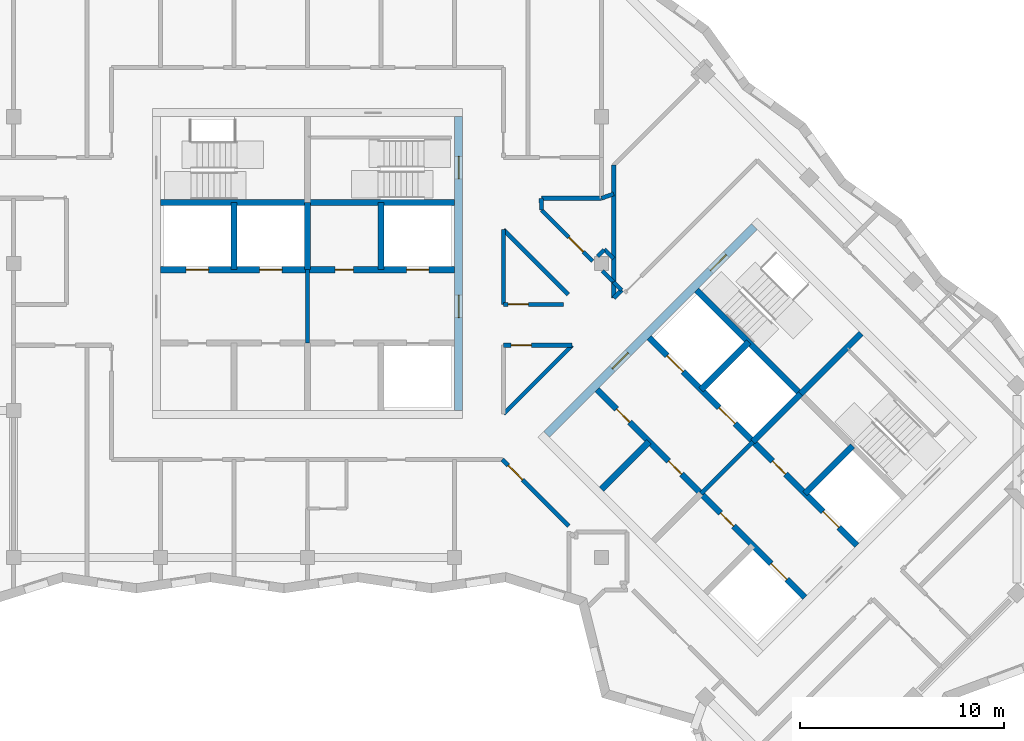
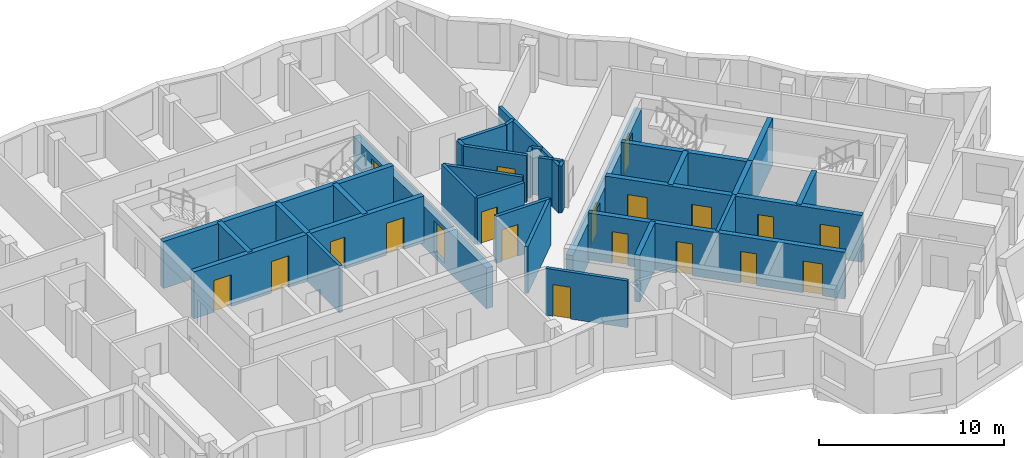
# One storey, part 4 of 11: 35 walls, 20 doors, 20 openings.
"""IFC4 building model written with IfcOpenShell, lengths in metres."""

from ifc_helpers import new_model, si_unit, direction, frame, frame_2d, origin, place, context, subcontext, project, spatial, rectangle, extrude, material, layer, layer_set, type_object, element, fill, save


model = new_model("IFC4")

# Units and contexts
model_context = context("Model", 3, precision=1e-05, world=origin(), true_north=direction((0.0, 1.0)))
body_context = subcontext(model_context, "Body", "Model", "MODEL_VIEW")
ifc_project = project(units=[si_unit("LENGTHUNIT", "METRE"), si_unit("AREAUNIT", "SQUARE_METRE"), si_unit("VOLUMEUNIT", "CUBIC_METRE"), si_unit("PLANEANGLEUNIT", "RADIAN"), si_unit("MASSUNIT", "GRAM", prefix="KILO")], contexts=[model_context])

# Site, building, storey
site_placement = place(None, origin())
site = spatial("IfcSite", under=ifc_project, at=site_placement, CompositionType="ELEMENT")
building_placement = place(site_placement, origin())
building = spatial("IfcBuilding", under=site, at=building_placement, Name="Windrow Commons", CompositionType="ELEMENT")
storey_placement = place(building_placement, frame((0.0, 0.0, 271.0)))
storey = spatial("IfcBuildingStorey", under=building, at=storey_placement, Name="L74", CompositionType="ELEMENT", Elevation=271.0)

# Walls
ifc_material_1 = material(Name="Blockwork partition", Category="masonry")
ifc_layer_1 = layer(ifc_material_1, 0.2)
ifc_layer_set_1 = layer_set([ifc_layer_1], Name="Fire lobby partition 200")
wall_type_1 = type_object("IfcWallType", Name="Fire lobby partition 200", PredefinedType="PARTITIONING", material=ifc_layer_set_1)
for number, where, z_axis, x_axis, name in (
    (1, (64.8, 53.7, 0.0), (0.0, 0.0, 1.0), (0.0, 1.0, 0.0), "W-core-lobby-A-L74"),
    (2, (84.079, 46.332, 0.0), (0.0, 0.0, 1.0), (0.7071067812, 0.7071067812, 0.0), "W-core-lobby-B-L74"),
):
    element("IfcWall", number, at=place(storey_placement, frame(where, z_axis=z_axis, x_axis=x_axis)), inside=storey, type_object=wall_type_1, Name=name, PredefinedType="PARTITIONING", context=body_context, shape_type="SweptSolid", body=[
        extrude(rectangle(XDim=3.6, YDim=0.2, at=frame_2d((1.8, 0.0))), origin(), (0.0, 0.0, 1.0), 3.1),
    ])
ifc_material_2 = material(Name="Blockwork partition", Category="masonry")
ifc_layer_2 = layer(ifc_material_2, 0.2)
ifc_layer_set_2 = layer_set([ifc_layer_2], Name="IW-CORRIDOR-200")
wall_type_2 = type_object("IfcWallType", Name="IW-CORRIDOR-200", PredefinedType="PARTITIONING", material=ifc_layer_set_2)
wall_1_placement = place(storey_placement, frame((74.4015, 50.2325, 0.0), z_axis=(0.0, 0.0, 1.0), x_axis=(0.7071067812, 0.7071067812, 0.0)))
element("IfcWall", 3, at=wall_1_placement, inside=storey, type_object=wall_type_2, Name="W-L74-W037", PredefinedType="PARTITIONING", context=body_context, shape_type="SweptSolid", body=[
    extrude(rectangle(XDim=4.7602, YDim=0.2, at=frame_2d((2.3801, 0.0))), origin(), (0.0, 0.0, 1.0), 3.1),
])

# Wall, opening, door
wall_2_placement = place(storey_placement, frame((74.3468, 47.9968, 0.0), z_axis=(0.0, 0.0, 1.0), x_axis=(0.7071067812, -0.7071067812, 0.0)))
wall_2 = element("IfcWall", 4, at=wall_2_placement, inside=storey, type_object=wall_type_2, Name="W-L74-W039", PredefinedType="PARTITIONING", context=body_context, shape_type="SweptSolid", body=[
    extrude(rectangle(XDim=4.5962, YDim=0.2, at=frame_2d((2.2981, 0.0))), origin(), (0.0, 0.0, 1.0), 3.1),
])
opening_1_placement = place(wall_2_placement, frame((0.4007, 0.0, 0.0)))
opening_1 = element("IfcOpeningElement", 5, at=opening_1_placement, cuts=wall_2, Name="Opening D310F", PredefinedType="OPENING", context=body_context, shape_type="SweptSolid", body=[
    extrude(rectangle(XDim=1.0, YDim=2.1, at=frame_2d((0.5, 1.05))), frame((0.0, 0.11, 0.0), z_axis=(0.0, -1.0, 0.0), x_axis=(1.0, 0.0, 0.0)), (0.0, 0.0, 1.0), 0.22),
])
ifc_material_3 = material(Name="Timber door leaf", Category="wood")
door_type_1 = type_object("IfcDoorType", Name="DT-AMENITY-1000", OperationType="SINGLE_SWING_LEFT", PredefinedType="DOOR", material=ifc_material_3)
door_1_placement = place(opening_1_placement, origin())
door_1 = element("IfcDoor", 6, at=door_1_placement, inside=storey, type_object=door_type_1, Name="D-L74-D012", OperationType="SINGLE_SWING_LEFT", OverallHeight=2.1, OverallWidth=1.0, PredefinedType="DOOR", context=body_context, shape_type="SweptSolid", body=[
    extrude(rectangle(XDim=1.0, YDim=2.1, at=frame_2d((0.5, 1.05))), frame((0.0, 0.025, 0.0), z_axis=(0.0, -1.0, 0.0), x_axis=(1.0, 0.0, 0.0)), (0.0, 0.0, 1.0), 0.05),
])
fill(opening_1, door_1)

# Walls
wall_3_placement = place(storey_placement, frame((74.3987, 59.2587, 0.0), z_axis=(0.0, 0.0, 1.0), x_axis=(0.7071067812, -0.7071067812, 0.0)))
element("IfcWall", 7, at=wall_3_placement, inside=storey, type_object=wall_type_2, Name="W-L74-W040", PredefinedType="PARTITIONING", context=body_context, shape_type="SweptSolid", body=[
    extrude(rectangle(XDim=4.4972, YDim=0.2, at=frame_2d((2.2486, 0.0))), origin(), (0.0, 0.0, 1.0), 3.1),
])
wall_4_placement = place(storey_placement, frame((74.4, 55.602, 0.0), z_axis=(0.0, 0.0, 1.0), x_axis=(0.0, 1.0, 0.0)))
element("IfcWall", 8, at=wall_4_placement, inside=storey, type_object=wall_type_2, Name="W-L74-W050", PredefinedType="PARTITIONING", context=body_context, shape_type="SweptSolid", body=[
    extrude(rectangle(XDim=3.66, YDim=0.2, at=frame_2d((1.83, 0.0))), origin(), (0.0, 0.0, 1.0), 3.1),
])

# Wall, opening, door
wall_5_placement = place(storey_placement, frame((76.2629, 60.2229, 0.0), z_axis=(0.0, 0.0, 1.0), x_axis=(0.7071067812, -0.7071067812, 0.0)))
wall_5 = element("IfcWall", 9, at=wall_5_placement, inside=storey, type_object=wall_type_2, Name="W-L74-W053", PredefinedType="PARTITIONING", context=body_context, shape_type="SweptSolid", body=[
    extrude(rectangle(XDim=3.5468, YDim=0.2, at=frame_2d((1.7734, 0.0))), origin(), (0.0, 0.0, 1.0), 3.1),
])
opening_2_placement = place(wall_5_placement, frame((1.8932, 0.0, 0.0)))
opening_2 = element("IfcOpeningElement", 10, at=opening_2_placement, cuts=wall_5, Name="Opening D410F", PredefinedType="OPENING", context=body_context, shape_type="SweptSolid", body=[
    extrude(rectangle(XDim=1.0, YDim=2.1, at=frame_2d((0.5, 1.05))), frame((0.0, 0.11, 0.0), z_axis=(0.0, -1.0, 0.0), x_axis=(1.0, 0.0, 0.0)), (0.0, 0.0, 1.0), 0.22),
])
ifc_material_4 = material(Name="Timber door leaf", Category="wood")
door_type_2 = type_object("IfcDoorType", Name="DT-SERVICE-1000", OperationType="SINGLE_SWING_LEFT", PredefinedType="DOOR", material=ifc_material_4)
door_2_placement = place(opening_2_placement, origin())
door_2 = element("IfcDoor", 11, at=door_2_placement, inside=storey, type_object=door_type_2, Name="D-L74-D028", OperationType="SINGLE_SWING_LEFT", OverallHeight=2.1, OverallWidth=1.0, PredefinedType="DOOR", context=body_context, shape_type="SweptSolid", body=[
    extrude(rectangle(XDim=1.0, YDim=2.1, at=frame_2d((0.5, 1.05))), frame((0.0, 0.025, 0.0), z_axis=(0.0, -1.0, 0.0), x_axis=(1.0, 0.0, 0.0)), (0.0, 0.0, 1.0), 0.05),
])
fill(opening_2, door_2)

wall_6_placement = place(storey_placement, frame((74.402, 53.6, 0.0), z_axis=(0.0, 0.0, 1.0), x_axis=(1.0, 0.0, 0.0)))
wall_6 = element("IfcWall", 12, at=wall_6_placement, inside=storey, type_object=wall_type_2, Name="W-L74-W055", PredefinedType="PARTITIONING", context=body_context, shape_type="SweptSolid", body=[
    extrude(rectangle(XDim=3.366, YDim=0.2, at=frame_2d((1.683, 0.0))), origin(), (0.0, 0.0, 1.0), 3.1),
])
opening_3_placement = place(wall_6_placement, frame((0.3672, 0.0, 0.0)))
opening_3 = element("IfcOpeningElement", 13, at=opening_3_placement, cuts=wall_6, Name="Opening D310F", PredefinedType="OPENING", context=body_context, shape_type="SweptSolid", body=[
    extrude(rectangle(XDim=1.0, YDim=2.1, at=frame_2d((0.5, 1.05))), frame((0.0, 0.11, 0.0), z_axis=(0.0, -1.0, 0.0), x_axis=(1.0, 0.0, 0.0)), (0.0, 0.0, 1.0), 0.22),
])
door_3_placement = place(opening_3_placement, origin())
door_3 = element("IfcDoor", 14, at=door_3_placement, inside=storey, type_object=door_type_1, Name="D-L74-D000", OperationType="SINGLE_SWING_RIGHT", OverallHeight=2.1, OverallWidth=1.0, PredefinedType="DOOR", context=body_context, shape_type="SweptSolid", body=[
    extrude(rectangle(XDim=1.0, YDim=2.1, at=frame_2d((0.5, 1.05))), frame((0.0, 0.025, 0.0), z_axis=(0.0, -1.0, 0.0), x_axis=(1.0, 0.0, 0.0)), (0.0, 0.0, 1.0), 0.05),
])
fill(opening_3, door_3)

# Wall
wall_7_placement = place(storey_placement, frame((76.262, 60.8, 0.0), z_axis=(0.0, 0.0, 1.0), x_axis=(1.0, 0.0, 0.0)))
element("IfcWall", 15, at=wall_7_placement, inside=storey, type_object=wall_type_2, Name="W-L74-W056", PredefinedType="PARTITIONING", context=body_context, shape_type="SweptSolid", body=[
    extrude(rectangle(XDim=2.938, YDim=0.2, at=frame_2d((1.469, 0.0))), origin(), (0.0, 0.0, 1.0), 3.1),
])

# Wall, opening, door
wall_8_placement = place(storey_placement, frame((74.402, 55.6, 0.0), z_axis=(0.0, 0.0, 1.0), x_axis=(1.0, 0.0, 0.0)))
wall_8 = element("IfcWall", 16, at=wall_8_placement, inside=storey, type_object=wall_type_2, Name="W-L74-W058", PredefinedType="PARTITIONING", context=body_context, shape_type="SweptSolid", body=[
    extrude(rectangle(XDim=2.928, YDim=0.2, at=frame_2d((1.464, 0.0))), origin(), (0.0, 0.0, 1.0), 3.1),
])
opening_4_placement = place(wall_8_placement, frame((0.2233, 0.0, 0.0)))
opening_4 = element("IfcOpeningElement", 17, at=opening_4_placement, cuts=wall_8, Name="Opening D310F", PredefinedType="OPENING", context=body_context, shape_type="SweptSolid", body=[
    extrude(rectangle(XDim=1.0, YDim=2.1, at=frame_2d((0.5, 1.05))), frame((0.0, 0.11, 0.0), z_axis=(0.0, -1.0, 0.0), x_axis=(1.0, 0.0, 0.0)), (0.0, 0.0, 1.0), 0.22),
])
door_4_placement = place(opening_4_placement, origin())
door_4 = element("IfcDoor", 18, at=door_4_placement, inside=storey, type_object=door_type_1, Name="D-L74-D013", OperationType="SINGLE_SWING_LEFT", OverallHeight=2.1, OverallWidth=1.0, PredefinedType="DOOR", context=body_context, shape_type="SweptSolid", body=[
    extrude(rectangle(XDim=1.0, YDim=2.1, at=frame_2d((0.5, 1.05))), frame((0.0, 0.025, 0.0), z_axis=(0.0, -1.0, 0.0), x_axis=(1.0, 0.0, 0.0)), (0.0, 0.0, 1.0), 0.05),
])
fill(opening_4, door_4)

# Walls
wall_9_placement = place(storey_placement, frame((79.2389, 57.2469, 0.0), z_axis=(0.0, 0.0, 1.0), x_axis=(0.7071067812, -0.7071067812, 0.0)))
element("IfcWall", 19, at=wall_9_placement, inside=storey, type_object=wall_type_2, Name="W-L74-W101", PredefinedType="PARTITIONING", context=body_context, shape_type="SweptSolid", body=[
    extrude(rectangle(XDim=0.7891, YDim=0.2, at=frame_2d((0.3946, 0.0))), origin(), (0.0, 0.0, 1.0), 3.1),
])
wall_10_placement = place(storey_placement, frame((79.8, 55.914, 0.0), z_axis=(0.0, 0.0, 1.0), x_axis=(0.0, 1.0, 0.0)))
element("IfcWall", 20, at=wall_10_placement, inside=storey, type_object=wall_type_2, Name="W-L74-W102", PredefinedType="PARTITIONING", context=body_context, shape_type="SweptSolid", body=[
    extrude(rectangle(XDim=0.778, YDim=0.2, at=frame_2d((0.389, 0.0))), origin(), (0.0, 0.0, 1.0), 3.1),
])
wall_11_placement = place(storey_placement, frame((76.2472, 60.7999, 0.0), z_axis=(0.0, 0.0, 1.0), x_axis=(0.0210479677, -0.999778467, 0.0)))
element("IfcWall", 21, at=wall_11_placement, inside=storey, type_object=wall_type_2, Name="W-L74-W112", PredefinedType="PARTITIONING", context=body_context, shape_type="SweptSolid", body=[
    extrude(rectangle(XDim=0.5701, YDim=0.2, at=frame_2d((0.2851, 0.0))), origin(), (0.0, 0.0, 1.0), 3.1),
])
wall_12_placement = place(storey_placement, frame((79.801, 55.915, 0.0), z_axis=(0.0, 0.0, 1.0), x_axis=(0.7071067812, 0.7071067812, 0.0)))
element("IfcWall", 22, at=wall_12_placement, inside=storey, type_object=wall_type_2, Name="W-L74-W114", PredefinedType="PARTITIONING", context=body_context, shape_type="SweptSolid", body=[
    extrude(rectangle(XDim=0.5487, YDim=0.2, at=frame_2d((0.2743, 0.0))), origin(), (0.0, 0.0, 1.0), 3.1),
])
ifc_material_5 = material(Name="Blockwork partition", Category="masonry")
ifc_layer_3 = layer(ifc_material_5, 0.2)
ifc_layer_set_3 = layer_set([ifc_layer_3], Name="IW-PARTY-200")
wall_type_3 = type_object("IfcWallType", Name="IW-PARTY-200", PredefinedType="PARTITIONING", material=ifc_layer_set_3)
wall_13_placement = place(storey_placement, frame((79.8, 56.692, 0.0), z_axis=(0.0, 0.0, 1.0), x_axis=(0.0, 1.0, 0.0)))
element("IfcWall", 23, at=wall_13_placement, inside=storey, type_object=wall_type_3, Name="W-L74-W024", PredefinedType="PARTITIONING", context=body_context, shape_type="SweptSolid", body=[
    extrude(rectangle(XDim=5.726, YDim=0.2, at=frame_2d((2.863, 0.0))), origin(), (0.0, 0.0, 1.0), 3.1),
])
wall_14_placement = place(storey_placement, frame((79.3459, 58.2899, 0.0), z_axis=(0.0, 0.0, 1.0), x_axis=(0.7086729034, -0.7055371826, 0.0)))
element("IfcWall", 24, at=wall_14_placement, inside=storey, type_object=wall_type_3, Name="W-L74-W109", PredefinedType="PARTITIONING", context=body_context, shape_type="SweptSolid", body=[
    extrude(rectangle(XDim=0.6378, YDim=0.2, at=frame_2d((0.3189, 0.0))), origin(), (0.0, 0.0, 1.0), 3.1),
])
wall_15_placement = place(storey_placement, frame((79.2001, 60.7998, 0.0), z_axis=(0.0, 0.0, 1.0), x_axis=(0.9418838915, 0.335938588, 0.0)))
element("IfcWall", 25, at=wall_15_placement, inside=storey, type_object=wall_type_3, Name="W-L74-W110", PredefinedType="PARTITIONING", context=body_context, shape_type="SweptSolid", body=[
    extrude(rectangle(XDim=0.637, YDim=0.2, at=frame_2d((0.3185, 0.0))), origin(), (0.0, 0.0, 1.0), 3.1),
])
wall_16_placement = place(storey_placement, frame((79.7969, 56.6889, 0.0), z_axis=(0.0, 0.0, 1.0), x_axis=(0.7071067812, -0.7071067812, 0.0)))
element("IfcWall", 26, at=wall_16_placement, inside=storey, type_object=wall_type_3, Name="W-L74-W113", PredefinedType="PARTITIONING", context=body_context, shape_type="SweptSolid", body=[
    extrude(rectangle(XDim=0.5515, YDim=0.2, at=frame_2d((0.2757, 0.0))), origin(), (0.0, 0.0, 1.0), 3.1),
])
wall_17_placement = place(storey_placement, frame((79.0068, 57.9492, 0.0), z_axis=(0.0, 0.0, 1.0), x_axis=(0.7071067812, 0.7071067812, 0.0)))
element("IfcWall", 27, at=wall_17_placement, inside=storey, type_object=wall_type_3, Name="W-L74-W117", PredefinedType="PARTITIONING", context=body_context, shape_type="SweptSolid", body=[
    extrude(rectangle(XDim=0.4537, YDim=0.2, at=frame_2d((0.2268, 0.0))), origin(), (0.0, 0.0, 1.0), 3.1),
])

# Wall, openings, doors
ifc_material_6 = material(Name="Concrete C40/50", Category="concrete")
ifc_layer_4 = layer(ifc_material_6, 0.4)
ifc_layer_set_4 = layer_set([ifc_layer_4], Name="RC CORE WALL 400 C40/50")
wall_type_4 = type_object("IfcWallType", Name="RC CORE WALL 400 C40/50", PredefinedType="SHEAR", material=ifc_layer_set_4)
wall_18_placement = place(storey_placement, frame((72.2, 50.4, -0.3), z_axis=(0.0, 0.0, 1.0), x_axis=(0.0, 1.0, 0.0)))
wall_18 = element("IfcWall", 28, at=wall_18_placement, inside=storey, type_object=wall_type_4, Name="Core A wall outer-E", PredefinedType="SHEAR", context=body_context, shape_type="SweptSolid", body=[
    extrude(rectangle(XDim=14.4, YDim=0.4, at=frame_2d((7.2, 0.0))), origin(), (0.0, 0.0, 1.0), 2.7),
])
opening_5_placement = place(wall_18_placement, frame((4.55, 0.0, 0.3)))
opening_5 = element("IfcOpeningElement", 29, at=opening_5_placement, cuts=wall_18, Name="Opening D6", PredefinedType="OPENING", context=body_context, shape_type="SweptSolid", body=[
    extrude(rectangle(XDim=1.1, YDim=2.1, at=frame_2d((0.55, 1.05))), frame((0.0, 0.21, 0.0), z_axis=(0.0, -1.0, 0.0), x_axis=(1.0, 0.0, 0.0)), (0.0, 0.0, 1.0), 0.42),
])
opening_6_placement = place(wall_18_placement, frame((11.35, 0.0, 0.3)))
opening_6 = element("IfcOpeningElement", 30, at=opening_6_placement, cuts=wall_18, Name="Opening D7", PredefinedType="OPENING", context=body_context, shape_type="SweptSolid", body=[
    extrude(rectangle(XDim=1.1, YDim=2.1, at=frame_2d((0.55, 1.05))), frame((0.0, 0.21, 0.0), z_axis=(0.0, -1.0, 0.0), x_axis=(1.0, 0.0, 0.0)), (0.0, 0.0, 1.0), 0.42),
])
ifc_material_7 = material(Name="Steel fire door leaf", Category="steel")
door_type_3 = type_object("IfcDoorType", Name="Core lobby door 1100", OperationType="SINGLE_SWING_LEFT", PredefinedType="DOOR", material=ifc_material_7)
door_5_placement = place(opening_5_placement, origin())
door_5 = element("IfcDoor", 31, at=door_5_placement, inside=storey, type_object=door_type_3, Name="Lift lobby door", OperationType="DOUBLE_DOOR_SINGLE_SWING", OverallHeight=2.1, OverallWidth=1.1, PredefinedType="DOOR", context=body_context, shape_type="SweptSolid", body=[
    extrude(rectangle(XDim=1.1, YDim=2.1, at=frame_2d((0.55, 1.05))), frame((0.0, 0.025, 0.0), z_axis=(0.0, -1.0, 0.0), x_axis=(1.0, 0.0, 0.0)), (0.0, 0.0, 1.0), 0.05),
])
fill(opening_5, door_5)
ifc_material_8 = material(Name="Steel fire door leaf", Category="steel")
door_type_4 = type_object("IfcDoorType", Name="Stair door 1100", OperationType="SINGLE_SWING_LEFT", PredefinedType="DOOR", material=ifc_material_8)
door_6_placement = place(opening_6_placement, origin())
door_6 = element("IfcDoor", 32, at=door_6_placement, inside=storey, type_object=door_type_4, Name="Stair door", OperationType="SINGLE_SWING_RIGHT", OverallHeight=2.1, OverallWidth=1.1, PredefinedType="DOOR", context=body_context, shape_type="SweptSolid", body=[
    extrude(rectangle(XDim=1.1, YDim=2.1, at=frame_2d((0.55, 1.05))), frame((0.0, 0.025, 0.0), z_axis=(0.0, -1.0, 0.0), x_axis=(1.0, 0.0, 0.0)), (0.0, 0.0, 1.0), 0.05),
])
fill(opening_6, door_6)

wall_19_placement = place(storey_placement, frame((76.513, 49.2312, -0.3), z_axis=(0.0, 0.0, 1.0), x_axis=(0.7071067812, 0.7071067812, 0.0)))
wall_19 = element("IfcWall", 33, at=wall_19_placement, inside=storey, type_object=wall_type_4, Name="Core B wall outer-W", PredefinedType="SHEAR", context=body_context, shape_type="SweptSolid", body=[
    extrude(rectangle(XDim=14.3999, YDim=0.4, at=frame_2d((7.2, 0.0))), origin(), (0.0, 0.0, 1.0), 2.7),
])
opening_7_placement = place(wall_19_placement, frame((4.55, 0.0, 0.3)))
opening_7 = element("IfcOpeningElement", 34, at=opening_7_placement, cuts=wall_19, Name="Opening D6", PredefinedType="OPENING", context=body_context, shape_type="SweptSolid", body=[
    extrude(rectangle(XDim=1.1, YDim=2.1, at=frame_2d((0.55, 1.05))), frame((0.0, 0.21, 0.0), z_axis=(0.0, -1.0, 0.0), x_axis=(1.0, 0.0, 0.0)), (0.0, 0.0, 1.0), 0.42),
])
opening_8_placement = place(wall_19_placement, frame((11.35, 0.0, 0.3)))
opening_8 = element("IfcOpeningElement", 35, at=opening_8_placement, cuts=wall_19, Name="Opening D7", PredefinedType="OPENING", context=body_context, shape_type="SweptSolid", body=[
    extrude(rectangle(XDim=1.1, YDim=2.1, at=frame_2d((0.55, 1.05))), frame((0.0, 0.21, 0.0), z_axis=(0.0, -1.0, 0.0), x_axis=(1.0, 0.0, 0.0)), (0.0, 0.0, 1.0), 0.42),
])
door_7_placement = place(opening_7_placement, origin())
door_7 = element("IfcDoor", 36, at=door_7_placement, inside=storey, type_object=door_type_3, Name="Lift lobby door", OperationType="DOUBLE_DOOR_SINGLE_SWING", OverallHeight=2.1, OverallWidth=1.1, PredefinedType="DOOR", context=body_context, shape_type="SweptSolid", body=[
    extrude(rectangle(XDim=1.1, YDim=2.1, at=frame_2d((0.55, 1.05))), frame((0.0, 0.025, 0.0), z_axis=(0.0, -1.0, 0.0), x_axis=(1.0, 0.0, 0.0)), (0.0, 0.0, 1.0), 0.05),
])
fill(opening_7, door_7)
door_8_placement = place(opening_8_placement, origin())
door_8 = element("IfcDoor", 37, at=door_8_placement, inside=storey, type_object=door_type_4, Name="Stair door", OperationType="SINGLE_SWING_LEFT", OverallHeight=2.1, OverallWidth=1.1, PredefinedType="DOOR", context=body_context, shape_type="SweptSolid", body=[
    extrude(rectangle(XDim=1.1, YDim=2.1, at=frame_2d((0.55, 1.05))), frame((0.0, 0.025, 0.0), z_axis=(0.0, -1.0, 0.0), x_axis=(1.0, 0.0, 0.0)), (0.0, 0.0, 1.0), 0.05),
])
fill(opening_8, door_8)

# Walls
ifc_material_9 = material(Name="Concrete C40/50", Category="concrete")
ifc_layer_5 = layer(ifc_material_9, 0.3)
ifc_layer_set_5 = layer_set([ifc_layer_5], Name="RC SHAFT WALL 300 C40/50")
wall_type_5 = type_object("IfcWallType", Name="RC SHAFT WALL 300 C40/50", PredefinedType="SOLIDWALL", material=ifc_layer_set_5)
for number, where, z_axis, x_axis, name in (
    (38, (61.2, 57.3, 0.0), (0.0, 0.0, 1.0), (0.0, 1.0, 0.0), "Core A wall shaft-N1"),
    (39, (64.8, 57.3, 0.0), (0.0, 0.0, 1.0), (0.0, 1.0, 0.0), "Core A wall shaft-N2"),
    (40, (68.4, 57.3, 0.0), (0.0, 0.0, 1.0), (0.0, 1.0, 0.0), "Core A wall shaft-N3"),
):
    element("IfcWall", number, at=place(storey_placement, frame(where, z_axis=z_axis, x_axis=x_axis)), inside=storey, type_object=wall_type_5, Name=name, PredefinedType="SOLIDWALL", context=body_context, shape_type="SweptSolid", body=[
        extrude(rectangle(XDim=3.3, YDim=0.3, at=frame_2d((1.65, 0.0))), origin(), (0.0, 0.0, 1.0), 3.1),
    ])

# Wall, openings, doors
wall_20_placement = place(storey_placement, frame((57.6, 57.3, 0.0), z_axis=(0.0, 0.0, 1.0), x_axis=(1.0, 0.0, 0.0)))
wall_20 = element("IfcWall", 41, at=wall_20_placement, inside=storey, type_object=wall_type_5, Name="Core A wall lobby-N", PredefinedType="SOLIDWALL", context=body_context, shape_type="SweptSolid", body=[
    extrude(rectangle(XDim=14.4, YDim=0.3, at=frame_2d((7.2, 0.0))), origin(), (0.0, 0.0, 1.0), 3.1),
])
opening_9_placement = place(wall_20_placement, frame((8.55, 0.0, 0.0)))
opening_9 = element("IfcOpeningElement", 42, at=opening_9_placement, cuts=wall_20, Name="Opening D8", PredefinedType="OPENING", context=body_context, shape_type="SweptSolid", body=[
    extrude(rectangle(XDim=0.9, YDim=2.1, at=frame_2d((0.45, 1.05))), frame((0.0, 0.16, 0.0), z_axis=(0.0, -1.0, 0.0), x_axis=(1.0, 0.0, 0.0)), (0.0, 0.0, 1.0), 0.32),
])
opening_10_placement = place(wall_20_placement, frame((1.25, 0.0, 0.0)))
opening_10 = element("IfcOpeningElement", 43, at=opening_10_placement, cuts=wall_20, Name="Opening LD", PredefinedType="OPENING", context=body_context, shape_type="SweptSolid", body=[
    extrude(rectangle(XDim=1.1, YDim=2.1, at=frame_2d((0.55, 1.05))), frame((0.0, 0.16, 0.0), z_axis=(0.0, -1.0, 0.0), x_axis=(1.0, 0.0, 0.0)), (0.0, 0.0, 1.0), 0.32),
])
opening_11_placement = place(wall_20_placement, frame((4.85, 0.0, 0.0)))
opening_11 = element("IfcOpeningElement", 44, at=opening_11_placement, cuts=wall_20, Name="Opening LD", PredefinedType="OPENING", context=body_context, shape_type="SweptSolid", body=[
    extrude(rectangle(XDim=1.1, YDim=2.1, at=frame_2d((0.55, 1.05))), frame((0.0, 0.16, 0.0), z_axis=(0.0, -1.0, 0.0), x_axis=(1.0, 0.0, 0.0)), (0.0, 0.0, 1.0), 0.32),
])
opening_12_placement = place(wall_20_placement, frame((12.05, 0.0, 0.0)))
opening_12 = element("IfcOpeningElement", 45, at=opening_12_placement, cuts=wall_20, Name="Opening LD", PredefinedType="OPENING", context=body_context, shape_type="SweptSolid", body=[
    extrude(rectangle(XDim=1.1, YDim=2.1, at=frame_2d((0.55, 1.05))), frame((0.0, 0.16, 0.0), z_axis=(0.0, -1.0, 0.0), x_axis=(1.0, 0.0, 0.0)), (0.0, 0.0, 1.0), 0.32),
])
ifc_material_10 = material(Name="Steel fire door leaf", Category="steel")
door_type_5 = type_object("IfcDoorType", Name="Core store door 900", OperationType="SINGLE_SWING_LEFT", PredefinedType="DOOR", material=ifc_material_10)
door_9_placement = place(opening_9_placement, origin())
door_9 = element("IfcDoor", 46, at=door_9_placement, inside=storey, type_object=door_type_5, Name="Store door", OperationType="SINGLE_SWING_LEFT", OverallHeight=2.1, OverallWidth=0.9, PredefinedType="DOOR", context=body_context, shape_type="SweptSolid", body=[
    extrude(rectangle(XDim=0.9, YDim=2.1, at=frame_2d((0.45, 1.05))), frame((0.0, 0.025, 0.0), z_axis=(0.0, -1.0, 0.0), x_axis=(1.0, 0.0, 0.0)), (0.0, 0.0, 1.0), 0.05),
])
fill(opening_9, door_9)
ifc_material_11 = material(Name="Stainless steel door leaf", Category="steel")
door_type_6 = type_object("IfcDoorType", Name="Lift landing door 1100", OperationType="SLIDING_TO_LEFT", PredefinedType="DOOR", material=ifc_material_11)
door_10_placement = place(opening_10_placement, origin())
door_10 = element("IfcDoor", 47, at=door_10_placement, inside=storey, type_object=door_type_6, Name="Lift landing door", OperationType="SLIDING_TO_LEFT", OverallHeight=2.1, OverallWidth=1.1, PredefinedType="DOOR", context=body_context, shape_type="SweptSolid", body=[
    extrude(rectangle(XDim=1.1, YDim=2.1, at=frame_2d((0.55, 1.05))), frame((0.0, 0.025, 0.0), z_axis=(0.0, -1.0, 0.0), x_axis=(1.0, 0.0, 0.0)), (0.0, 0.0, 1.0), 0.05),
])
fill(opening_10, door_10)
door_11_placement = place(opening_11_placement, origin())
door_11 = element("IfcDoor", 48, at=door_11_placement, inside=storey, type_object=door_type_6, Name="Lift landing door", OperationType="SLIDING_TO_RIGHT", OverallHeight=2.1, OverallWidth=1.1, PredefinedType="DOOR", context=body_context, shape_type="SweptSolid", body=[
    extrude(rectangle(XDim=1.1, YDim=2.1, at=frame_2d((0.55, 1.05))), frame((0.0, 0.025, 0.0), z_axis=(0.0, -1.0, 0.0), x_axis=(1.0, 0.0, 0.0)), (0.0, 0.0, 1.0), 0.05),
])
fill(opening_11, door_11)
door_12_placement = place(opening_12_placement, origin())
door_12 = element("IfcDoor", 49, at=door_12_placement, inside=storey, type_object=door_type_6, Name="Lift landing door", OperationType="SLIDING_TO_RIGHT", OverallHeight=2.1, OverallWidth=1.1, PredefinedType="DOOR", context=body_context, shape_type="SweptSolid", body=[
    extrude(rectangle(XDim=1.1, YDim=2.1, at=frame_2d((0.55, 1.05))), frame((0.0, 0.025, 0.0), z_axis=(0.0, -1.0, 0.0), x_axis=(1.0, 0.0, 0.0)), (0.0, 0.0, 1.0), 0.05),
])
fill(opening_12, door_12)

# Walls
for number, where, z_axis, x_axis, name in (
    (50, (57.6, 60.6, 0.0), (0.0, 0.0, 1.0), (1.0, 0.0, 0.0), "Core A wall stair-S"),
    (51, (64.8, 60.6, 0.0), (0.0, 0.0, 1.0), (1.0, 0.0, 0.0), "Core A wall stair-S2"),
):
    element("IfcWall", number, at=place(storey_placement, frame(where, z_axis=z_axis, x_axis=x_axis)), inside=storey, type_object=wall_type_5, Name=name, PredefinedType="SOLIDWALL", context=body_context, shape_type="SweptSolid", body=[
        extrude(rectangle(XDim=7.2, YDim=0.3, at=frame_2d((3.6, 0.0))), origin(), (0.0, 0.0, 1.0), 3.1),
    ])
for number, where, z_axis, x_axis, name in (
    (52, (79.2, 46.5442, 0.0), (0.0, 0.0, 1.0), (0.7071219326, 0.7070916295, 0.0), "Core B wall shaft-S1"),
    (53, (84.079, 51.4232, 0.0), (0.0, 0.0, 1.0), (0.7071219326, 0.7070916295, 0.0), "Core B wall shaft-N1"),
):
    element("IfcWall", number, at=place(storey_placement, frame(where, z_axis=z_axis, x_axis=x_axis)), inside=storey, type_object=wall_type_5, Name=name, PredefinedType="SOLIDWALL", context=body_context, shape_type="SweptSolid", body=[
        extrude(rectangle(XDim=3.3, YDim=0.3, at=frame_2d((1.65, 0.0))), origin(), (0.0, 0.0, 1.0), 3.1),
    ])
for number, where, z_axis, x_axis, name in (
    (54, (86.6246, 48.8776, 0.0), (0.0, 0.0, 1.0), (0.7071067812, 0.7071067812, 0.0), "Core B wall shaft-N2"),
    (55, (89.1702, 46.332, 0.0), (0.0, 0.0, 1.0), (0.7071067812, 0.7071067812, 0.0), "Core B wall shaft-N3"),
):
    element("IfcWall", number, at=place(storey_placement, frame(where, z_axis=z_axis, x_axis=x_axis)), inside=storey, type_object=wall_type_5, Name=name, PredefinedType="SOLIDWALL", context=body_context, shape_type="SweptSolid", body=[
        extrude(rectangle(XDim=3.3001, YDim=0.3, at=frame_2d((1.6501, 0.0))), origin(), (0.0, 0.0, 1.0), 3.1),
    ])

# Wall, openings, doors
wall_21_placement = place(storey_placement, frame((78.9879, 51.4232, 0.0), z_axis=(0.0, 0.0, 1.0), x_axis=(0.7071067812, -0.7071067812, 0.0)))
wall_21 = element("IfcWall", 56, at=wall_21_placement, inside=storey, type_object=wall_type_5, Name="Core B wall lobby-S", PredefinedType="SOLIDWALL", context=body_context, shape_type="SweptSolid", body=[
    extrude(rectangle(XDim=14.3999, YDim=0.3, at=frame_2d((7.2, 0.0))), origin(), (0.0, 0.0, 1.0), 3.1),
])
opening_13_placement = place(wall_21_placement, frame((1.35, 0.0, 0.0)))
opening_13 = element("IfcOpeningElement", 57, at=opening_13_placement, cuts=wall_21, Name="Opening D8", PredefinedType="OPENING", context=body_context, shape_type="SweptSolid", body=[
    extrude(rectangle(XDim=0.9, YDim=2.1, at=frame_2d((0.45, 1.05))), frame((0.0, 0.16, 0.0), z_axis=(0.0, -1.0, 0.0), x_axis=(1.0, 0.0, 0.0)), (0.0, 0.0, 1.0), 0.32),
])
opening_14_placement = place(wall_21_placement, frame((4.95, 0.0, 0.0)))
opening_14 = element("IfcOpeningElement", 58, at=opening_14_placement, cuts=wall_21, Name="Opening D8", PredefinedType="OPENING", context=body_context, shape_type="SweptSolid", body=[
    extrude(rectangle(XDim=0.9, YDim=2.1, at=frame_2d((0.45, 1.05))), frame((0.0, 0.16, 0.0), z_axis=(0.0, -1.0, 0.0), x_axis=(1.0, 0.0, 0.0)), (0.0, 0.0, 1.0), 0.32),
])
opening_15_placement = place(wall_21_placement, frame((8.55, 0.0, 0.0)))
opening_15 = element("IfcOpeningElement", 59, at=opening_15_placement, cuts=wall_21, Name="Opening D8", PredefinedType="OPENING", context=body_context, shape_type="SweptSolid", body=[
    extrude(rectangle(XDim=0.9, YDim=2.1, at=frame_2d((0.45, 1.05))), frame((0.0, 0.16, 0.0), z_axis=(0.0, -1.0, 0.0), x_axis=(1.0, 0.0, 0.0)), (0.0, 0.0, 1.0), 0.32),
])
opening_16_placement = place(wall_21_placement, frame((12.05, 0.0, 0.0)))
opening_16 = element("IfcOpeningElement", 60, at=opening_16_placement, cuts=wall_21, Name="Opening LD", PredefinedType="OPENING", context=body_context, shape_type="SweptSolid", body=[
    extrude(rectangle(XDim=1.1, YDim=2.1, at=frame_2d((0.55, 1.05))), frame((0.0, 0.16, 0.0), z_axis=(0.0, -1.0, 0.0), x_axis=(1.0, 0.0, 0.0)), (0.0, 0.0, 1.0), 0.32),
])
door_13_placement = place(opening_13_placement, origin())
door_13 = element("IfcDoor", 61, at=door_13_placement, inside=storey, type_object=door_type_5, Name="Store door", OperationType="SINGLE_SWING_LEFT", OverallHeight=2.1, OverallWidth=0.9, PredefinedType="DOOR", context=body_context, shape_type="SweptSolid", body=[
    extrude(rectangle(XDim=0.9, YDim=2.1, at=frame_2d((0.45, 1.05))), frame((0.0, 0.025, 0.0), z_axis=(0.0, -1.0, 0.0), x_axis=(1.0, 0.0, 0.0)), (0.0, 0.0, 1.0), 0.05),
])
fill(opening_13, door_13)
door_14_placement = place(opening_14_placement, origin())
door_14 = element("IfcDoor", 62, at=door_14_placement, inside=storey, type_object=door_type_5, Name="Store door", OperationType="SINGLE_SWING_LEFT", OverallHeight=2.1, OverallWidth=0.9, PredefinedType="DOOR", context=body_context, shape_type="SweptSolid", body=[
    extrude(rectangle(XDim=0.9, YDim=2.1, at=frame_2d((0.45, 1.05))), frame((0.0, 0.025, 0.0), z_axis=(0.0, -1.0, 0.0), x_axis=(1.0, 0.0, 0.0)), (0.0, 0.0, 1.0), 0.05),
])
fill(opening_14, door_14)
door_15_placement = place(opening_15_placement, origin())
door_15 = element("IfcDoor", 63, at=door_15_placement, inside=storey, type_object=door_type_5, Name="Store door", OperationType="SINGLE_SWING_LEFT", OverallHeight=2.1, OverallWidth=0.9, PredefinedType="DOOR", context=body_context, shape_type="SweptSolid", body=[
    extrude(rectangle(XDim=0.9, YDim=2.1, at=frame_2d((0.45, 1.05))), frame((0.0, 0.025, 0.0), z_axis=(0.0, -1.0, 0.0), x_axis=(1.0, 0.0, 0.0)), (0.0, 0.0, 1.0), 0.05),
])
fill(opening_15, door_15)
door_16_placement = place(opening_16_placement, origin())
door_16 = element("IfcDoor", 64, at=door_16_placement, inside=storey, type_object=door_type_6, Name="Lift landing door", OperationType="SLIDING_TO_RIGHT", OverallHeight=2.1, OverallWidth=1.1, PredefinedType="DOOR", context=body_context, shape_type="SweptSolid", body=[
    extrude(rectangle(XDim=1.1, YDim=2.1, at=frame_2d((0.55, 1.05))), frame((0.0, 0.025, 0.0), z_axis=(0.0, -1.0, 0.0), x_axis=(1.0, 0.0, 0.0)), (0.0, 0.0, 1.0), 0.05),
])
fill(opening_16, door_16)

wall_22_placement = place(storey_placement, frame((81.5335, 53.9688, 0.0), z_axis=(0.0, 0.0, 1.0), x_axis=(0.707103309, -0.7071102534, 0.0)))
wall_22 = element("IfcWall", 65, at=wall_22_placement, inside=storey, type_object=wall_type_5, Name="Core B wall lobby-N", PredefinedType="SOLIDWALL", context=body_context, shape_type="SweptSolid", body=[
    extrude(rectangle(XDim=14.4, YDim=0.3, at=frame_2d((7.2, 0.0))), origin(), (0.0, 0.0, 1.0), 3.1),
])
opening_17_placement = place(wall_22_placement, frame((8.55, 0.0, 0.0)))
opening_17 = element("IfcOpeningElement", 66, at=opening_17_placement, cuts=wall_22, Name="Opening D8", PredefinedType="OPENING", context=body_context, shape_type="SweptSolid", body=[
    extrude(rectangle(XDim=0.9, YDim=2.1, at=frame_2d((0.45, 1.05))), frame((0.0, 0.16, 0.0), z_axis=(0.0, -1.0, 0.0), x_axis=(1.0, 0.0, 0.0)), (0.0, 0.0, 1.0), 0.32),
])
opening_18_placement = place(wall_22_placement, frame((1.25, 0.0, 0.0)))
opening_18 = element("IfcOpeningElement", 67, at=opening_18_placement, cuts=wall_22, Name="Opening LD", PredefinedType="OPENING", context=body_context, shape_type="SweptSolid", body=[
    extrude(rectangle(XDim=1.1, YDim=2.1, at=frame_2d((0.55, 1.05))), frame((0.0, 0.16, 0.0), z_axis=(0.0, -1.0, 0.0), x_axis=(1.0, 0.0, 0.0)), (0.0, 0.0, 1.0), 0.32),
])
opening_19_placement = place(wall_22_placement, frame((4.85, 0.0, 0.0)))
opening_19 = element("IfcOpeningElement", 68, at=opening_19_placement, cuts=wall_22, Name="Opening LD", PredefinedType="OPENING", context=body_context, shape_type="SweptSolid", body=[
    extrude(rectangle(XDim=1.1, YDim=2.1, at=frame_2d((0.55, 1.05))), frame((0.0, 0.16, 0.0), z_axis=(0.0, -1.0, 0.0), x_axis=(1.0, 0.0, 0.0)), (0.0, 0.0, 1.0), 0.32),
])
opening_20_placement = place(wall_22_placement, frame((12.05, 0.0, 0.0)))
opening_20 = element("IfcOpeningElement", 69, at=opening_20_placement, cuts=wall_22, Name="Opening LD", PredefinedType="OPENING", context=body_context, shape_type="SweptSolid", body=[
    extrude(rectangle(XDim=1.1, YDim=2.1, at=frame_2d((0.55, 1.05))), frame((0.0, 0.16, 0.0), z_axis=(0.0, -1.0, 0.0), x_axis=(1.0, 0.0, 0.0)), (0.0, 0.0, 1.0), 0.32),
])
door_17_placement = place(opening_17_placement, origin())
door_17 = element("IfcDoor", 70, at=door_17_placement, inside=storey, type_object=door_type_5, Name="Store door", OperationType="SINGLE_SWING_LEFT", OverallHeight=2.1, OverallWidth=0.9, PredefinedType="DOOR", context=body_context, shape_type="SweptSolid", body=[
    extrude(rectangle(XDim=0.9, YDim=2.1, at=frame_2d((0.45, 1.05))), frame((0.0, 0.025, 0.0), z_axis=(0.0, -1.0, 0.0), x_axis=(1.0, 0.0, 0.0)), (0.0, 0.0, 1.0), 0.05),
])
fill(opening_17, door_17)
door_18_placement = place(opening_18_placement, origin())
door_18 = element("IfcDoor", 71, at=door_18_placement, inside=storey, type_object=door_type_6, Name="Lift landing door", OperationType="SLIDING_TO_LEFT", OverallHeight=2.1, OverallWidth=1.1, PredefinedType="DOOR", context=body_context, shape_type="SweptSolid", body=[
    extrude(rectangle(XDim=1.1, YDim=2.1, at=frame_2d((0.55, 1.05))), frame((0.0, 0.025, 0.0), z_axis=(0.0, -1.0, 0.0), x_axis=(1.0, 0.0, 0.0)), (0.0, 0.0, 1.0), 0.05),
])
fill(opening_18, door_18)
door_19_placement = place(opening_19_placement, origin())
door_19 = element("IfcDoor", 72, at=door_19_placement, inside=storey, type_object=door_type_6, Name="Lift landing door", OperationType="SLIDING_TO_RIGHT", OverallHeight=2.1, OverallWidth=1.1, PredefinedType="DOOR", context=body_context, shape_type="SweptSolid", body=[
    extrude(rectangle(XDim=1.1, YDim=2.1, at=frame_2d((0.55, 1.05))), frame((0.0, 0.025, 0.0), z_axis=(0.0, -1.0, 0.0), x_axis=(1.0, 0.0, 0.0)), (0.0, 0.0, 1.0), 0.05),
])
fill(opening_19, door_19)
door_20_placement = place(opening_20_placement, origin())
door_20 = element("IfcDoor", 73, at=door_20_placement, inside=storey, type_object=door_type_6, Name="Lift landing door", OperationType="SLIDING_TO_RIGHT", OverallHeight=2.1, OverallWidth=1.1, PredefinedType="DOOR", context=body_context, shape_type="SweptSolid", body=[
    extrude(rectangle(XDim=1.1, YDim=2.1, at=frame_2d((0.55, 1.05))), frame((0.0, 0.025, 0.0), z_axis=(0.0, -1.0, 0.0), x_axis=(1.0, 0.0, 0.0)), (0.0, 0.0, 1.0), 0.05),
])
fill(opening_20, door_20)

# Walls
wall_23_placement = place(storey_placement, frame((83.8669, 56.3022, 0.0), z_axis=(0.0, 0.0, 1.0), x_axis=(0.7071137256, -0.7070998367, 0.0)))
element("IfcWall", 74, at=wall_23_placement, inside=storey, type_object=wall_type_5, Name="Core B wall stair-S", PredefinedType="SOLIDWALL", context=body_context, shape_type="SweptSolid", body=[
    extrude(rectangle(XDim=7.2, YDim=0.3, at=frame_2d((3.6, 0.0))), origin(), (0.0, 0.0, 1.0), 3.1),
])
wall_24_placement = place(storey_placement, frame((88.9581, 51.2111, 0.0), z_axis=(0.0, 0.0, 1.0), x_axis=(0.7071067812, 0.7071067812, 0.0)))
element("IfcWall", 75, at=wall_24_placement, inside=storey, type_object=wall_type_5, Name="Core B wall stair-mid", PredefinedType="SOLIDWALL", context=body_context, shape_type="SweptSolid", body=[
    extrude(rectangle(XDim=4.1999, YDim=0.3, at=frame_2d((2.1, 0.0))), origin(), (0.0, 0.0, 1.0), 3.1),
])

save(model, "model.ifc")
